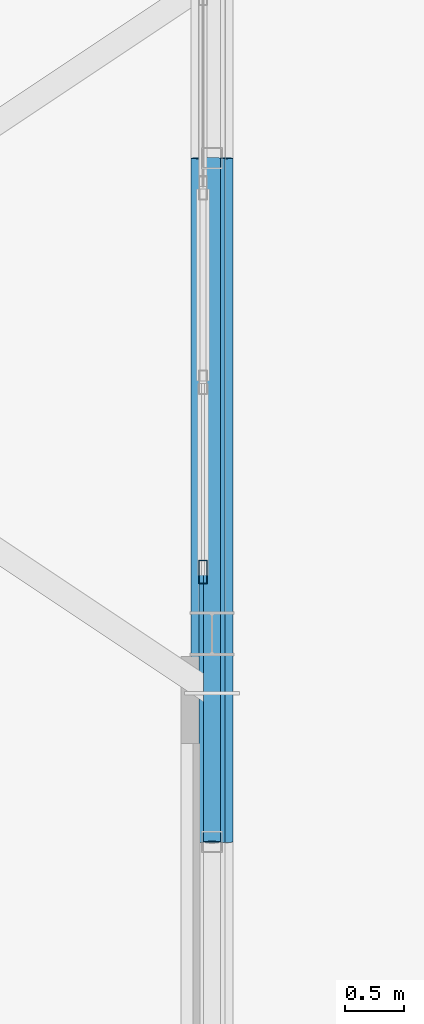
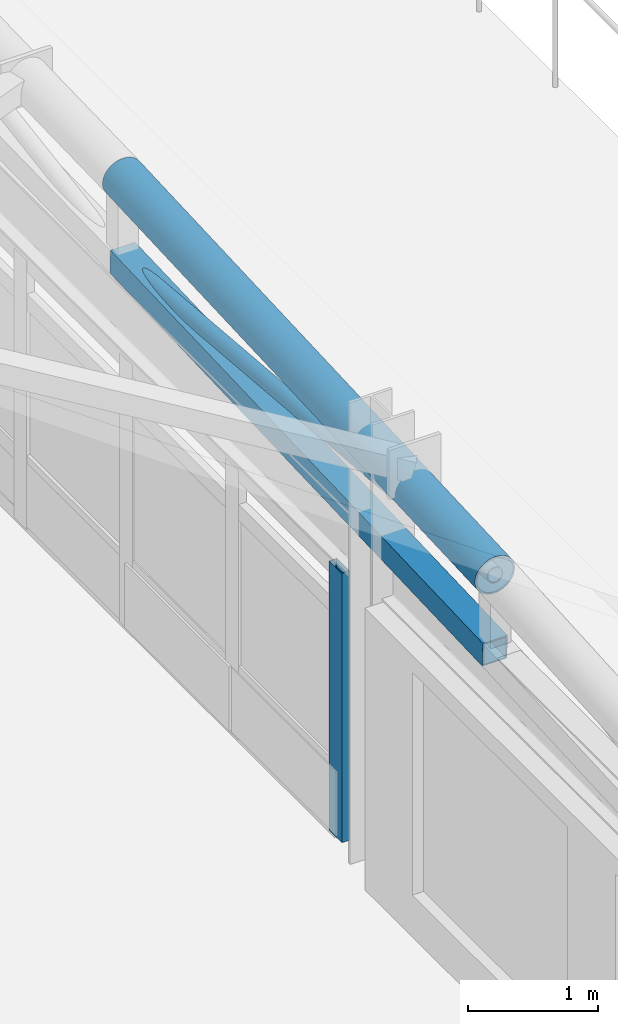
# One storey, part 38 of 168: 3 members, 1 beam, 1 element without a shape of its own.
"""IFC4 building model written with IfcOpenShell, lengths in metres."""

from ifc_helpers import new_model, si_unit, direction, frame, origin, origin_2d, place, context, subcontext, project, spatial, hollow_rectangle, hollow_circle, extrude, material, material_profile, profile_set, type_object, element, aggregate, save


model = new_model("IFC4")

# Units and contexts
model_context = context("Model", 3, precision=1e-05, world=origin(), true_north=direction((0.0, 1.0)))
body_context = subcontext(model_context, "Body", "Model", "MODEL_VIEW")
ifc_project = project(units=[si_unit("LENGTHUNIT", "METRE"), si_unit("AREAUNIT", "SQUARE_METRE"), si_unit("VOLUMEUNIT", "CUBIC_METRE"), si_unit("PLANEANGLEUNIT", "RADIAN"), si_unit("MASSUNIT", "GRAM", prefix="KILO"), si_unit("THERMODYNAMICTEMPERATUREUNIT", "KELVIN"), si_unit("POWERUNIT", "WATT")], contexts=[model_context])

# Site, building, storey
site_placement = place(None, origin())
site = spatial("IfcSite", under=ifc_project, at=site_placement, CompositionType="ELEMENT")
building_placement = place(site_placement, origin())
building = spatial("IfcBuilding", under=site, at=building_placement, Name="Tepalcoro Natatorium and Aquatics Centre", CompositionType="ELEMENT")
storey_placement = place(building_placement, frame((0.0, 0.0, 10.199951171875)))
storey = spatial("IfcBuildingStorey", under=building, at=storey_placement, Name="L02", CompositionType="ELEMENT", Elevation=10.199951171875)

# Beam
ifc_material_1 = material(Name="Terracotta Painted Hollow Steel ASTM A500 Grade C (Fy 345 MPa)", Category="masonry")
ifc_material_profile_1 = material_profile(ifc_material_1, hollow_circle(Radius=0.177978515625, WallThickness=0.01611328125, at=origin_2d()), Name="CHS356X16")
ifc_profile_set_1 = profile_set([ifc_material_profile_1], Name="Terracotta Painted Hollow Steel ASTM A500 Grade C (Fy 345 MPa)")
beam_type = type_object("IfcBeamType", Name="AC_CHS356x16", PredefinedType="USERDEFINED", material=ifc_profile_set_1)
beam_placement = place(storey_placement, frame((125.0, 18.75, 3.822021484375), z_axis=(0.0, 0.998934685623, 0.046146439282), x_axis=(-1.0, 0.0, 0.0)))
element("IfcBeam", 1, at=beam_placement, inside=storey, type_object=beam_type, Name="V1 Gable Arched Truss Top Chord 9", ObjectType="ARCH CHORD", PredefinedType="USERDEFINED", context=body_context, shape_type="SweptSolid", body=[
    extrude(hollow_circle(Radius=0.177978515625, WallThickness=0.01611328125, at=origin_2d()), origin(), (0.0, 0.0, 1.0), 5.756103515625),
])

# Curtain wall, member
ifc_material_2 = material(Name="Bronze-Anodised Extruded Aluminium Alloy EN AW-6063 T6", Category="aluminium")
curtain_wall_type = type_object("IfcCurtainWallType", Name="CW_LEAN_T2_NS", PredefinedType="USERDEFINED", material=ifc_material_2)
curtain_wall_placement = place(storey_placement, origin())
curtain_wall = element("IfcCurtainWall", 2, at=curtain_wall_placement, inside=storey, type_object=curtain_wall_type, Name="V1 L02 E Unitised Curtain Wall Bay 2", ObjectType="FACETED SOLAR GLAZING", PredefinedType="USERDEFINED")
ifc_material_profile_2 = material_profile(ifc_material_2, hollow_rectangle(XDim=0.070068359375, YDim=0.199951171875, WallThickness=0.0048828125, at=origin_2d()), Name="AL70X200X5")
ifc_profile_set_2 = profile_set([ifc_material_profile_2], Name="Bronze-Anodised Extruded Aluminium Alloy EN AW-6063 T6")
member_type_1 = type_object("IfcMemberType", Name="CW_MUL_70x200", PredefinedType="MULLION", material=ifc_profile_set_2)
member_1_placement = place(storey_placement, frame((124.923828125, 21.02001953125, 0.02001953125), z_axis=(0.0, 0.0, 1.0), x_axis=(1.0, 0.0, 0.0)))
member_1 = element("IfcMember", 3, at=member_1_placement, type_object=member_type_1, Name="CW_LEAN_T2_NS Curtain Wall Mullion", PredefinedType="MULLION", context=body_context, shape_type="SweptSolid", body=[
    extrude(hollow_rectangle(XDim=0.070068359375, YDim=0.199951171875, WallThickness=0.0048828125, at=origin_2d()), origin(), (0.0, 0.0, 1.0), 2.5380859375),
])
aggregate(curtain_wall, [member_1])

# Members
ifc_material_profile_3 = material_profile(ifc_material_1, hollow_rectangle(XDim=0.219970703125, YDim=0.219970703125, WallThickness=0.011962890625, at=origin_2d()), Name="HSS220X220X12")
ifc_profile_set_3 = profile_set([ifc_material_profile_3], Name="Terracotta Painted Hollow Steel ASTM A500 Grade C (Fy 345 MPa)")
member_type_2 = type_object("IfcMemberType", Name="MB_CH_HSS220x220x12", PredefinedType="CHORD", material=ifc_profile_set_3)
member_2_placement = place(storey_placement, frame((125.0, 18.75, 3.106201171875), z_axis=(0.0, 0.999277131445, 0.038015977827), x_axis=(-1.0, 0.0, 0.0)))
element("IfcMember", 4, at=member_2_placement, inside=storey, type_object=member_type_2, Name="V1 Gable Arched Truss Bottom Chord 9", PredefinedType="CHORD", context=body_context, shape_type="SweptSolid", body=[
    extrude(hollow_rectangle(XDim=0.219970703125, YDim=0.219970703125, WallThickness=0.011962890625, at=origin_2d()), origin(), (0.0, 0.0, 1.0), 5.754150390625),
])
ifc_material_profile_4 = material_profile(ifc_material_1, hollow_circle(Radius=0.070068359375, WallThickness=0.008056640625, at=origin_2d()), Name="CHS140X8")
ifc_profile_set_4 = profile_set([ifc_material_profile_4], Name="Terracotta Painted Hollow Steel ASTM A500 Grade C (Fy 345 MPa)")
member_type_3 = type_object("IfcMemberType", Name="MB_ST_CHS140x8", PredefinedType="STRUT", material=ifc_profile_set_4)
member_3_placement = place(storey_placement, frame((125.0, 18.75, 3.822021484375), z_axis=(0.0, 0.99628427021, -0.086125797136), x_axis=(-1.0, 0.0, 0.0)))
element("IfcMember", 5, at=member_3_placement, inside=storey, type_object=member_type_3, Name="V1 Arched Truss Web Diagonal 9", PredefinedType="STRUT", context=body_context, shape_type="SweptSolid", body=[
    extrude(hollow_circle(Radius=0.070068359375, WallThickness=0.008056640625, at=origin_2d()), origin(), (0.0, 0.0, 1.0), 5.771484375),
])

save(model, "model.ifc")
